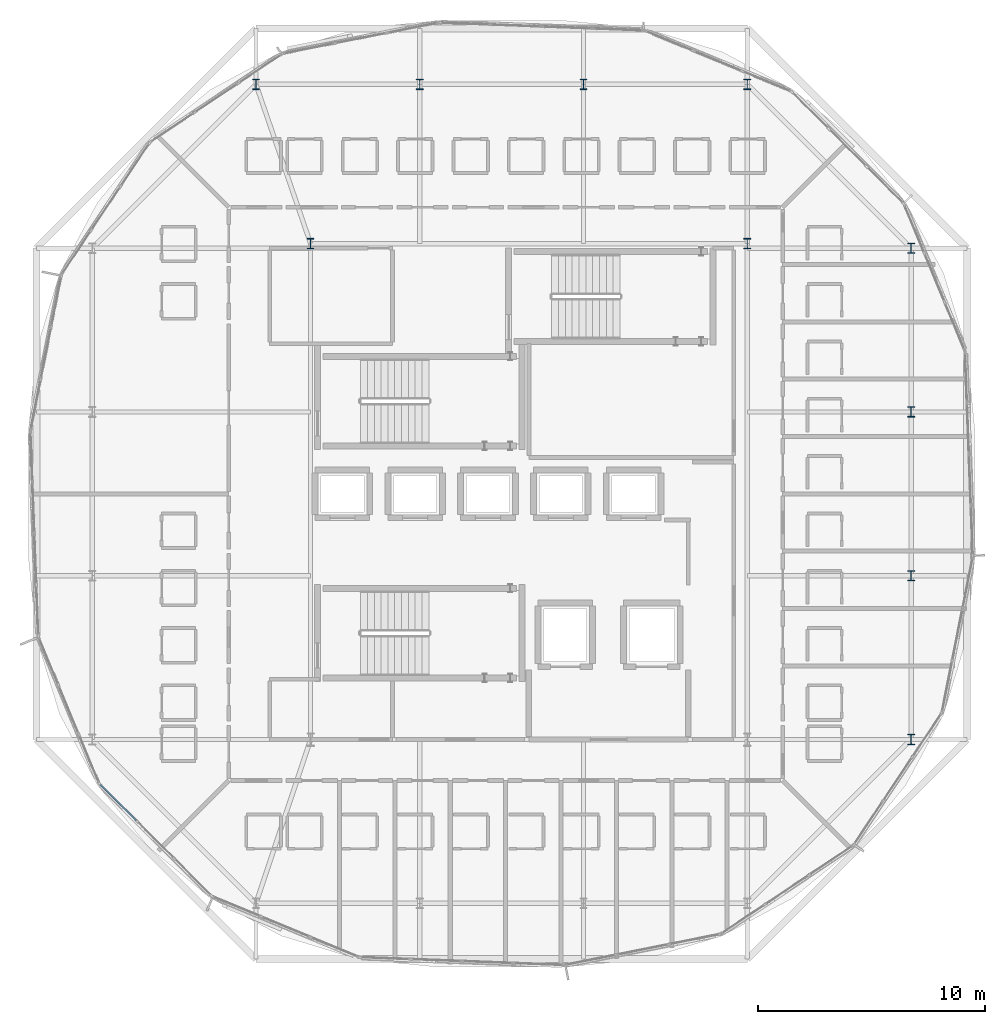
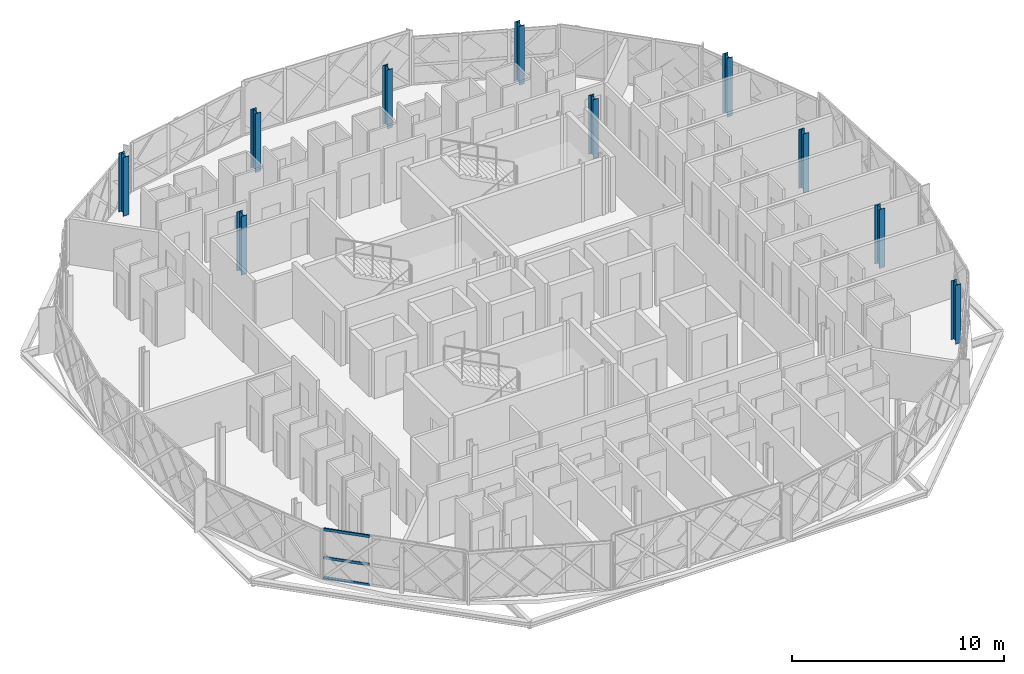
# One storey, part 3 of 24: 10 columns, 3 members, 1 element without a shape of its own.
"""IFC4 building model written with IfcOpenShell, lengths in metres."""

from ifc_helpers import new_model, si_unit, direction, frame, origin, origin_2d, place, context, subcontext, project, spatial, rectangle, i_section, extrude, material, layer, layer_set, material_profile, profile_set, type_object, element, aggregate, save


model = new_model("IFC4")

# Units and contexts
model_context = context("Model", 3, precision=1e-05, world=origin(), true_north=direction((0.0, 1.0)))
body_context = subcontext(model_context, "Body", "Model", "MODEL_VIEW")
ifc_project = project(units=[si_unit("LENGTHUNIT", "METRE"), si_unit("AREAUNIT", "SQUARE_METRE"), si_unit("VOLUMEUNIT", "CUBIC_METRE"), si_unit("PLANEANGLEUNIT", "RADIAN"), si_unit("MASSUNIT", "GRAM", prefix="KILO")], contexts=[model_context])

# Site, building, storey
site_placement = place(None, origin())
site = spatial("IfcSite", under=ifc_project, at=site_placement, CompositionType="ELEMENT")
building_placement = place(site_placement, origin())
building = spatial("IfcBuilding", under=site, at=building_placement, Name="Zevrakil Square Congress Hotel", CompositionType="ELEMENT")
storey_placement = place(building_placement, frame((0.0, 0.0, 31.699951171875)))
storey = spatial("IfcBuildingStorey", under=building, at=storey_placement, Name="L09", CompositionType="ELEMENT", Elevation=31.699951171875)

# Columns
ifc_material_1 = material(Name="Steel S355", Category="steel")
ifc_material_profile_1 = material_profile(ifc_material_1, i_section(OverallWidth=0.300048828125, OverallDepth=0.449951171875, WebThickness=0.013916015625, FlangeThickness=0.02587890625, FilletRadius=0.027099609375, at=origin_2d()), Name="HEB 450")
ifc_profile_set_1 = profile_set([ifc_material_profile_1], Name="Steel S355")
column_type = type_object("IfcColumnType", Name="COL-HEB450", PredefinedType="COLUMN", material=ifc_profile_set_1)
for number, where, z_axis, x_axis, name in (
    (1, (136.800048828125, 38.60009765625, 0.0), (0.0, 0.0, 1.0), (1.0, 0.0, 0.0), "L09 drum core collar column CC01"),
    (2, (156.0, 38.60009765625, 0.0), (0.0, 0.0, 1.0), (1.0, 0.0, 0.0), "L09 drum core collar column CC02"),
    (3, (163.199951171875, 16.800048828125, 0.0), (0.0, 0.0, 1.0), (1.0, 0.0, 0.0), "L09 drum column DC05"),
    (4, (163.199951171875, 24.0, 0.0), (0.0, 0.0, 1.0), (1.0, 0.0, 0.0), "L09 drum column DC06"),
    (5, (163.199951171875, 31.199951171875, 0.0), (0.0, 0.0, 1.0), (1.0, 0.0, 0.0), "L09 drum column DC07"),
    (6, (163.199951171875, 38.39990234375, 0.0), (0.0, 0.0, 1.0), (1.0, 0.0, 0.0), "L09 drum column DC08"),
    (7, (156.0, 45.60009765625, 0.0), (0.0, 0.0, 1.0), (1.0, 0.0, 0.0), "L09 drum column DC09"),
    (8, (148.800048828125, 45.60009765625, 0.0), (0.0, 0.0, 1.0), (1.0, 0.0, 0.0), "L09 drum column DC10"),
    (9, (141.60009765625, 45.60009765625, 0.0), (0.0, 0.0, 1.0), (1.0, 0.0, 0.0), "L09 drum column DC11"),
    (10, (134.39990234375, 45.60009765625, 0.0), (0.0, 0.0, 1.0), (1.0, 0.0, 0.0), "L09 drum column DC12"),
):
    element("IfcColumn", number, at=place(storey_placement, frame(where, z_axis=z_axis, x_axis=x_axis)), inside=storey, type_object=column_type, Name=name, PredefinedType="COLUMN", context=body_context, shape_type="SweptSolid", body=[
        extrude(i_section(OverallWidth=0.300048828125, OverallDepth=0.449951171875, WebThickness=0.013916015625, FlangeThickness=0.02587890625, FilletRadius=0.027099609375, at=origin_2d()), origin(), (0.0, 0.0, 1.0), 3.400146484375),
    ])

# Curtain wall, members
ifc_material_2 = material(Name="Aluminium Anodised Bronze", Category="aluminium")
ifc_layer = layer(ifc_material_2, 0.179931640625)
ifc_layer_set = layer_set([ifc_layer], Name="Aluminium Anodised Bronze")
curtain_wall_type = type_object("IfcCurtainWallType", Name="CW-L09-720", PredefinedType="USERDEFINED", material=ifc_layer_set)
curtain_wall_placement = place(storey_placement, origin())
curtain_wall = element("IfcCurtainWall", 11, at=curtain_wall_placement, inside=storey, type_object=curtain_wall_type, Name="L09 diamond curtain wall CW-L09-0268", ObjectType="GLAZED CURTAIN WALL", PredefinedType="USERDEFINED")
ifc_material_3 = material(Name="Aluminium Anodised Bronze", Category="aluminium")
ifc_material_profile_2 = material_profile(ifc_material_3, rectangle(XDim=0.074951171875, YDim=0.14990234375, at=origin_2d()), Name="ALU 75x150")
ifc_profile_set_2 = profile_set([ifc_material_profile_2], Name="Aluminium Anodised Bronze")
member_type = type_object("IfcMemberType", Name="CWM-ALU75x150", PredefinedType="USERDEFINED", material=ifc_profile_set_2)
member_1_placement = place(storey_placement, frame((127.553466796875, 14.822265625, 0.030029296875), z_axis=(0.707106781187, -0.707106781187, 0.0), x_axis=(0.707106781187, 0.707106781187, 0.0)))
member_1 = element("IfcMember", 12, at=member_1_placement, type_object=member_type, Name="CW-106 transom 1.1", ObjectType="TRANSOM", PredefinedType="USERDEFINED", context=body_context, shape_type="SweptSolid", body=[
    extrude(rectangle(XDim=0.074951171875, YDim=0.14990234375, at=origin_2d()), origin(), (0.0, 0.0, 1.0), 2.245361328125),
])
member_2_placement = place(storey_placement, frame((127.553466796875, 14.822265625, 1.19921875), z_axis=(0.707106781187, -0.707106781187, 0.0), x_axis=(0.707106781187, 0.707106781187, 0.0)))
member_2 = element("IfcMember", 13, at=member_2_placement, type_object=member_type, Name="CW-106 transom 1.2", ObjectType="TRANSOM", PredefinedType="USERDEFINED", context=body_context, shape_type="SweptSolid", body=[
    extrude(rectangle(XDim=0.074951171875, YDim=0.14990234375, at=origin_2d()), origin(), (0.0, 0.0, 1.0), 2.245361328125),
])
member_3_placement = place(storey_placement, frame((127.553466796875, 14.822265625, 2.824951171875), z_axis=(0.707106781187, -0.707106781187, 0.0), x_axis=(0.707106781187, 0.707106781187, 0.0)))
member_3 = element("IfcMember", 14, at=member_3_placement, type_object=member_type, Name="CW-106 transom 1.3", ObjectType="TRANSOM", PredefinedType="USERDEFINED", context=body_context, shape_type="SweptSolid", body=[
    extrude(rectangle(XDim=0.074951171875, YDim=0.14990234375, at=origin_2d()), origin(), (0.0, 0.0, 1.0), 2.245361328125),
])
aggregate(curtain_wall, [member_1, member_2, member_3])

save(model, "model.ifc")
